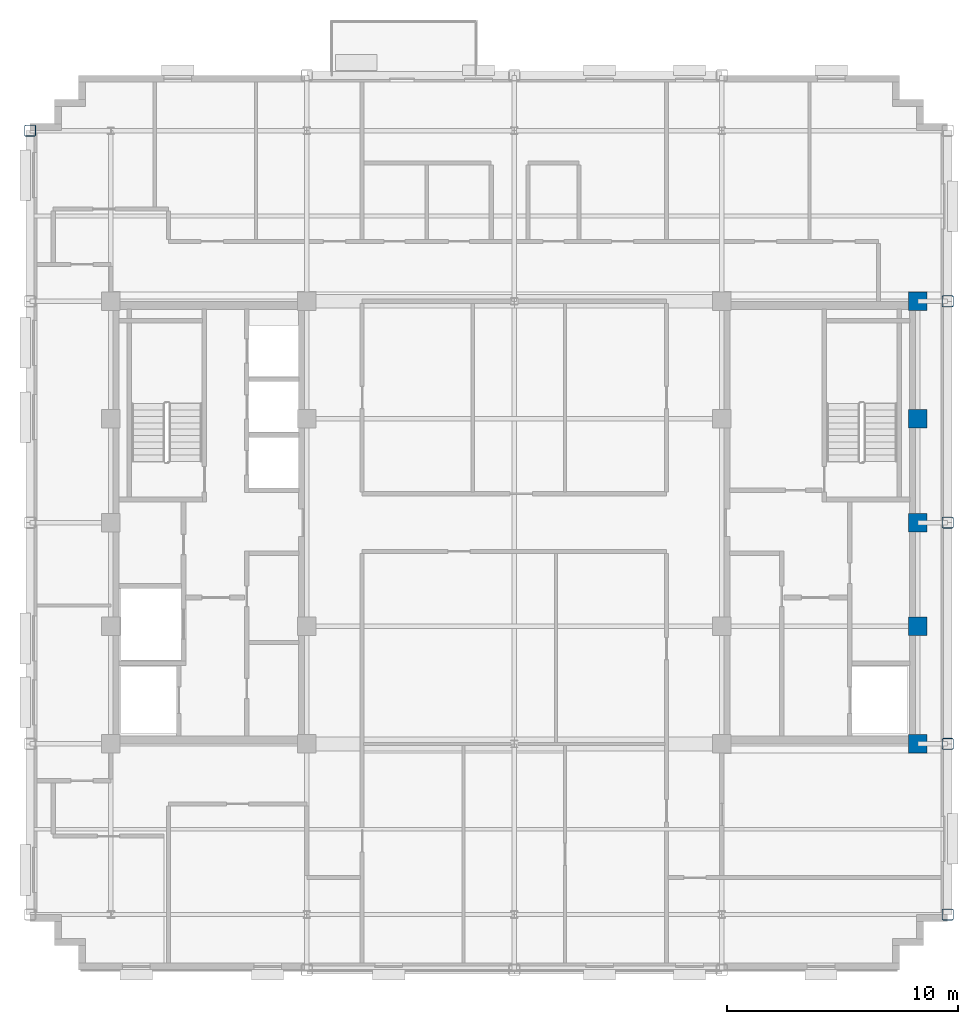
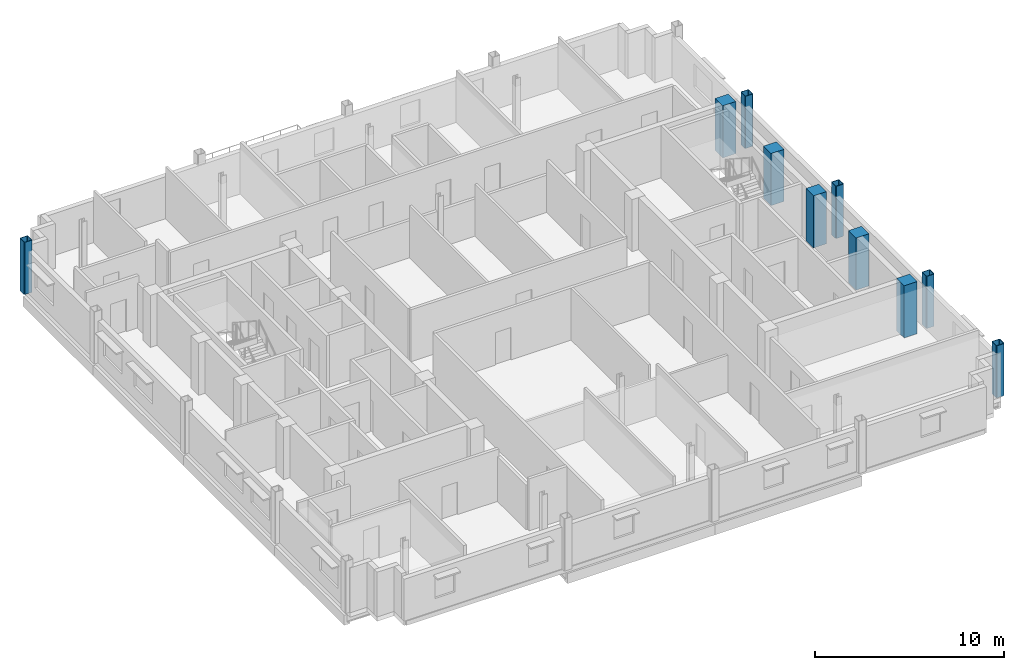
# One storey, part 2 of 14: 10 columns.
"""IFC4 building model written with IfcOpenShell, lengths in metres."""

from ifc_helpers import new_model, si_unit, direction, frame, origin, origin_2d, place, context, subcontext, project, spatial, rectangle, hollow_rectangle, extrude, material, material_profile, profile_set, type_object, element, save


model = new_model("IFC4")

# Units and contexts
model_context = context("Model", 3, precision=1e-05, world=origin(), true_north=direction((0.0, 1.0)))
body_context = subcontext(model_context, "Body", "Model", "MODEL_VIEW")
ifc_project = project(units=[si_unit("LENGTHUNIT", "METRE"), si_unit("AREAUNIT", "SQUARE_METRE"), si_unit("VOLUMEUNIT", "CUBIC_METRE"), si_unit("PLANEANGLEUNIT", "RADIAN"), si_unit("MASSUNIT", "GRAM", prefix="KILO")], contexts=[model_context])

# Site, building, storey
site_placement = place(None, origin())
site = spatial("IfcSite", under=ifc_project, at=site_placement, CompositionType="ELEMENT")
building_placement = place(site_placement, origin())
building = spatial("IfcBuilding", under=site, at=building_placement, Name="Nuvemarco Arch Tower", CompositionType="ELEMENT")
storey_placement = place(building_placement, frame((0.0, 0.0, 268.89990234375)))
storey = spatial("IfcBuildingStorey", under=building, at=storey_placement, Name="L71", CompositionType="ELEMENT", Elevation=268.89990234375)

# Columns
ifc_material_1 = material(Name="Concrete C50/60", Category="concrete")
ifc_material_profile_1 = material_profile(ifc_material_1, rectangle(XDim=0.800048828125, YDim=0.800048828125, at=origin_2d()), Name="RC-COL-800x800")
ifc_profile_set_1 = profile_set([ifc_material_profile_1], Name="Concrete C50/60")
column_type_1 = type_object("IfcColumnType", Name="COL-CORE-800", PredefinedType="COLUMN", material=ifc_profile_set_1)
for number, where, z_axis, x_axis, name in (
    (1, (17.5, -9.60009765625, 0.0), (0.0, 0.0, 1.0), (1.0, 0.0, 0.0), "L71 column CC_+17.5_-9.6"),
    (2, (17.5, -4.5, 0.0), (0.0, 0.0, 1.0), (1.0, 0.0, 0.0), "L71 column CC_+17.5_-4.5"),
    (3, (17.5, 4.5, 0.0), (0.0, 0.0, 1.0), (1.0, 0.0, 0.0), "L71 column CC_+17.5_+4.5"),
    (4, (17.5, 9.60009765625, 0.0), (0.0, 0.0, 1.0), (1.0, 0.0, 0.0), "L71 column CC_+17.5_+9.6"),
    (5, (17.5, 0.0, 0.0), (0.0, 0.0, 1.0), (1.0, 0.0, 0.0), "L71 column CC_+17.5_+0.0"),
):
    element("IfcColumn", number, at=place(storey_placement, frame(where, z_axis=z_axis, x_axis=x_axis)), inside=storey, type_object=column_type_1, Name=name, PredefinedType="COLUMN", context=body_context, shape_type="SweptSolid", body=[
        extrude(rectangle(XDim=0.800048828125, YDim=0.800048828125, at=origin_2d()), origin(), (0.0, 0.0, 1.0), 3.3701171875),
    ])
ifc_material_2 = material(Name="Steel S355", Category="steel")
ifc_material_profile_2 = material_profile(ifc_material_2, hollow_rectangle(XDim=0.5, YDim=0.5, WallThickness=0.031982421875, InnerFilletRadius=0.031982421875, OuterFilletRadius=0.06396484375, at=origin_2d()), Name="SHS500x500x32")
ifc_profile_set_2 = profile_set([ifc_material_profile_2], Name="Steel S355")
column_type_2 = type_object("IfcColumnType", Name="COL-EXO-500", PredefinedType="COLUMN", material=ifc_profile_set_2)
for number, where, z_axis, x_axis, name in (
    (6, (-21.0, 17.0, 0.0), (0.0, 0.0, 1.0), (1.0, 0.0, 0.0), "L71 column CX_-21.0_+17.0"),
    (7, (18.800048828125, -17.0, 0.0), (0.0, 0.0, 1.0), (1.0, 0.0, 0.0), "L71 column CX_+18.8_-17.0"),
    (8, (18.800048828125, -9.60009765625, 0.0), (0.0, 0.0, 1.0), (1.0, 0.0, 0.0), "L71 column CX_+18.8_-9.6"),
    (9, (18.800048828125, 0.0, 0.0), (0.0, 0.0, 1.0), (1.0, 0.0, 0.0), "L71 column CX_+18.8_+0.0"),
    (10, (18.800048828125, 9.60009765625, 0.0), (0.0, 0.0, 1.0), (1.0, 0.0, 0.0), "L71 column CX_+18.8_+9.6"),
):
    element("IfcColumn", number, at=place(storey_placement, frame(where, z_axis=z_axis, x_axis=x_axis)), inside=storey, type_object=column_type_2, Name=name, PredefinedType="COLUMN", context=body_context, shape_type="SweptSolid", body=[
        extrude(hollow_rectangle(XDim=0.5, YDim=0.5, WallThickness=0.031982421875, InnerFilletRadius=0.031982421875, OuterFilletRadius=0.06396484375, at=origin_2d()), origin(), (0.0, 0.0, 1.0), 3.3701171875),
    ])

save(model, "model.ifc")
